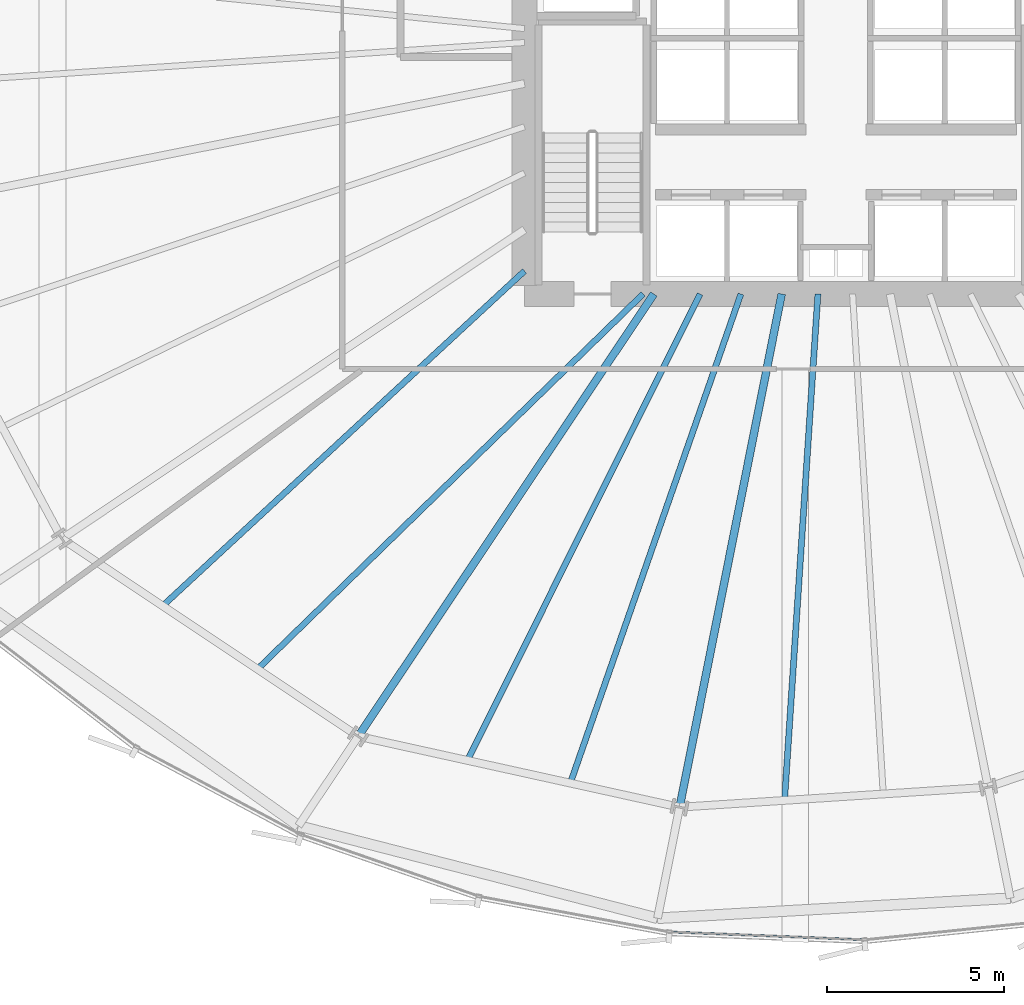
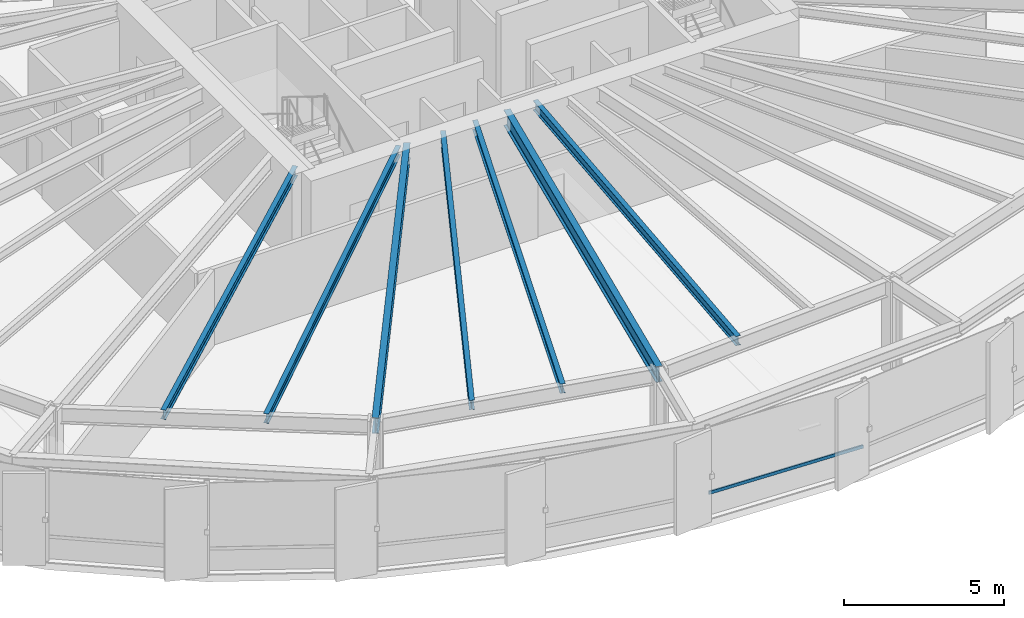
# One storey, part 6 of 42: 7 beams, 1 member, 1 element without a shape of its own.
"""IFC4 building model written with IfcOpenShell, lengths in metres."""

from ifc_helpers import new_model, si_unit, direction, frame, origin, origin_2d, place, context, subcontext, project, spatial, hollow_rectangle, i_section, extrude, source, transform, mapped, material, layer, layer_set, material_profile, profile_set, type_object, element, aggregate, save


model = new_model("IFC4")

# Units and contexts
model_context = context("Model", 3, precision=1e-05, world=origin(), true_north=direction((0.0, 1.0)))
body_context = subcontext(model_context, "Body", "Model", "MODEL_VIEW")
ifc_project = project(units=[si_unit("LENGTHUNIT", "METRE"), si_unit("AREAUNIT", "SQUARE_METRE"), si_unit("VOLUMEUNIT", "CUBIC_METRE"), si_unit("PLANEANGLEUNIT", "RADIAN"), si_unit("MASSUNIT", "GRAM", prefix="KILO"), si_unit("THERMODYNAMICTEMPERATUREUNIT", "KELVIN")], contexts=[model_context])

# Site, building, storey
site_placement = place(None, origin())
site = spatial("IfcSite", under=ifc_project, at=site_placement, CompositionType="ELEMENT")
building_placement = place(site_placement, origin())
building = spatial("IfcBuilding", under=site, at=building_placement, Name="Kethvar Cultural Tower", CompositionType="ELEMENT")
storey_placement = place(building_placement, frame((0.0, 0.0, 37.199951171875)))
storey = spatial("IfcBuildingStorey", under=building, at=storey_placement, Name="L08", CompositionType="ELEMENT", Elevation=37.199951171875)

# Beams
ifc_material_1 = material(Name="Steel S355J2", Category="steel")
ifc_material_profile_1 = material_profile(ifc_material_1, i_section(OverallWidth=0.219970703125, OverallDepth=0.60009765625, WebThickness=0.011962890625, FlangeThickness=0.01904296875, FilletRadius=0.02392578125, at=origin_2d()), Name="Steel S355J2 — IPE600")
ifc_profile_set_1 = profile_set([ifc_material_profile_1], Name="Steel S355J2 — IPE600")
beam_type_1 = type_object("IfcBeamType", Name="BM-IPE600", PredefinedType="BEAM", material=ifc_profile_set_1)
shared_shape_1 = source(origin(), body_context, "Body", "SweptSolid", [
    extrude(i_section(OverallWidth=0.219970703125, OverallDepth=0.60009765625, WebThickness=0.011962890625, FlangeThickness=0.01904296875, FilletRadius=0.02392578125, at=origin_2d()), origin(), (0.0, 0.0, 1.0), 15.03515625),
])
beam_1_placement = place(storey_placement, frame((41.655029296875, 20.10009765625, 3.248046875), z_axis=(-0.555569254616, -0.83147026605, 0.0), x_axis=(0.83147026605, -0.555569254616, 0.0)))
element("IfcBeam", 1, at=beam_1_placement, inside=storey, type_object=beam_type_1, Name="L08 Primary Radial Beam RB-11", PredefinedType="BEAM", context=body_context, shape_type="MappedRepresentation", body=[
    mapped(shared_shape_1, transform((0.0, 0.0, 0.0), scale=1.0)),
])
shared_shape_2 = source(origin(), body_context, "Body", "SweptSolid", [
    extrude(i_section(OverallWidth=0.219970703125, OverallDepth=0.60009765625, WebThickness=0.011962890625, FlangeThickness=0.01904296875, FilletRadius=0.02392578125, at=origin_2d()), origin(), (0.0, 0.0, 1.0), 14.7880859375),
])
beam_2_placement = place(storey_placement, frame((45.268310546875, 20.10009765625, 3.248046875), z_axis=(-0.1950905456, -0.98078523593, 0.0), x_axis=(0.98078523593, -0.1950905456, 0.0)))
element("IfcBeam", 2, at=beam_2_placement, inside=storey, type_object=beam_type_1, Name="L08 Primary Radial Beam RB-12", PredefinedType="BEAM", context=body_context, shape_type="MappedRepresentation", body=[
    mapped(shared_shape_2, transform((0.0, 0.0, 0.0), scale=1.0)),
])
ifc_material_profile_2 = material_profile(ifc_material_1, i_section(OverallWidth=0.169921875, OverallDepth=0.360107421875, WebThickness=0.008056640625, FlangeThickness=0.0126953125, FilletRadius=0.01806640625, at=origin_2d()), Name="Steel S355J2 — IPE360")
ifc_profile_set_2 = profile_set([ifc_material_profile_2], Name="Steel S355J2 — IPE360")
beam_type_2 = type_object("IfcBeamType", Name="BM-J360", PredefinedType="JOIST", material=ifc_profile_set_2)
shared_shape_3 = source(origin(), body_context, "Body", "SweptSolid", [
    extrude(i_section(OverallWidth=0.169921875, OverallDepth=0.360107421875, WebThickness=0.008056640625, FlangeThickness=0.0126953125, FilletRadius=0.01806640625, at=origin_2d()), origin(), (0.0, 0.0, 1.0), 13.93505859375),
])
beam_3_placement = place(storey_placement, frame((38.0, 20.75, 3.3681640625), z_axis=(-0.733909459287, -0.679247308106, 0.0), x_axis=(0.679247308106, -0.733909459287, 0.0)))
element("IfcBeam", 3, at=beam_3_placement, inside=storey, type_object=beam_type_2, Name="L08 Composite Floor Joist J-10A", PredefinedType="JOIST", context=body_context, shape_type="MappedRepresentation", body=[
    mapped(shared_shape_3, transform((0.0, 0.0, 0.0), scale=1.0)),
])
shared_shape_4 = source(origin(), body_context, "Body", "SweptSolid", [
    extrude(i_section(OverallWidth=0.169921875, OverallDepth=0.360107421875, WebThickness=0.008056640625, FlangeThickness=0.0126953125, FilletRadius=0.01806640625, at=origin_2d()), origin(), (0.0, 0.0, 1.0), 15.20361328125),
])
beam_4_placement = place(storey_placement, frame((41.35009765625, 20.10009765625, 3.3681640625), z_axis=(-0.716707709325, -0.697373687053, 0.0), x_axis=(0.697373687053, -0.716707709325, 0.0)))
element("IfcBeam", 4, at=beam_4_placement, inside=storey, type_object=beam_type_2, Name="L08 Composite Floor Joist J-10B", PredefinedType="JOIST", context=body_context, shape_type="MappedRepresentation", body=[
    mapped(shared_shape_4, transform((0.0, 0.0, 0.0), scale=1.0)),
])
shared_shape_5 = source(origin(), body_context, "Body", "SweptSolid", [
    extrude(i_section(OverallWidth=0.169921875, OverallDepth=0.360107421875, WebThickness=0.008056640625, FlangeThickness=0.0126953125, FilletRadius=0.01806640625, at=origin_2d()), origin(), (0.0, 0.0, 1.0), 14.729248046875),
])
beam_5_placement = place(storey_placement, frame((42.961181640625, 20.10009765625, 3.3681640625), z_axis=(-0.446152473361, -0.894956965733, 0.0), x_axis=(0.894956965733, -0.446152473361, 0.0)))
element("IfcBeam", 5, at=beam_5_placement, inside=storey, type_object=beam_type_2, Name="L08 Composite Floor Joist J-11A", PredefinedType="JOIST", context=body_context, shape_type="MappedRepresentation", body=[
    mapped(shared_shape_5, transform((0.0, 0.0, 0.0), scale=1.0)),
])
shared_shape_6 = source(origin(), body_context, "Body", "SweptSolid", [
    extrude(i_section(OverallWidth=0.169921875, OverallDepth=0.360107421875, WebThickness=0.008056640625, FlangeThickness=0.0126953125, FilletRadius=0.01806640625, at=origin_2d()), origin(), (0.0, 0.0, 1.0), 14.63916015625),
])
beam_6_placement = place(storey_placement, frame((44.115234375, 20.10009765625, 3.3681640625), z_axis=(-0.329226238223, -0.94425107046, 0.0), x_axis=(0.94425107046, -0.329226238223, 0.0)))
element("IfcBeam", 6, at=beam_6_placement, inside=storey, type_object=beam_type_2, Name="L08 Composite Floor Joist J-11B", PredefinedType="JOIST", context=body_context, shape_type="MappedRepresentation", body=[
    mapped(shared_shape_6, transform((0.0, 0.0, 0.0), scale=1.0)),
])
shared_shape_7 = source(origin(), body_context, "Body", "SweptSolid", [
    extrude(i_section(OverallWidth=0.169921875, OverallDepth=0.360107421875, WebThickness=0.008056640625, FlangeThickness=0.0126953125, FilletRadius=0.01806640625, at=origin_2d()), origin(), (0.0, 0.0, 1.0), 14.34228515625),
])
beam_7_placement = place(storey_placement, frame((46.292236328125, 20.10009765625, 3.3681640625), z_axis=(-0.065808348808, -0.997832281111, 0.0), x_axis=(0.997832281111, -0.065808348808, 0.0)))
element("IfcBeam", 7, at=beam_7_placement, inside=storey, type_object=beam_type_2, Name="L08 Composite Floor Joist J-12A", PredefinedType="JOIST", context=body_context, shape_type="MappedRepresentation", body=[
    mapped(shared_shape_7, transform((0.0, 0.0, 0.0), scale=1.0)),
])

# Curtain wall, member
ifc_material_2 = material(Name="Aluminium 6063-T6", Category="aluminium")
ifc_layer = layer(ifc_material_2, 0.179931640625, Name="Aluminium 6063-T6", Category="aluminium")
ifc_layer_set = layer_set([ifc_layer], Name="Aluminium 6063-T6 (180 mm)")
curtain_wall_type = type_object("IfcCurtainWallType", Name="CW-SYS-02-Z1", PredefinedType="NOTDEFINED", material=ifc_layer_set)
curtain_wall_placement = place(storey_placement, origin())
curtain_wall = element("IfcCurtainWall", 8, at=curtain_wall_placement, inside=storey, type_object=curtain_wall_type, Name="L08 Curtain Wall Run 05", PredefinedType="NOTDEFINED")
ifc_material_profile_3 = material_profile(ifc_material_2, hollow_rectangle(XDim=0.054931640625, YDim=0.1201171875, WallThickness=0.00390625, at=origin_2d()), Name="Aluminium 6063-T6 — RHS120x55x4")
ifc_profile_set_3 = profile_set([ifc_material_profile_3], Name="Aluminium 6063-T6 — RHS120x55x4")
member_type = type_object("IfcMemberType", Name="CW-SYS-02-Z1-TRN", PredefinedType="USERDEFINED", material=ifc_profile_set_3)
shared_shape_8 = source(origin(), body_context, "Body", "SweptSolid", [
    extrude(hollow_rectangle(XDim=0.054931640625, YDim=0.1201171875, WallThickness=0.00390625, at=origin_2d()), origin(), (0.0, 0.0, 1.0), 5.445556640625),
])
member_placement = place(storey_placement, frame((42.13623046875, 2.07080078125, 0.949951171875), z_axis=(0.999194643887, -0.040125598164, 0.0), x_axis=(0.040125598164, 0.999194643887, 0.0)))
member = element("IfcMember", 9, at=member_placement, type_object=member_type, Name="CW-L08-R05 Transom 3", ObjectType="TRANSOM", PredefinedType="USERDEFINED", context=body_context, shape_type="MappedRepresentation", body=[
    mapped(shared_shape_8, transform((0.0, 0.0, 0.0), scale=1.0)),
])
aggregate(curtain_wall, [member])

save(model, "model.ifc")
